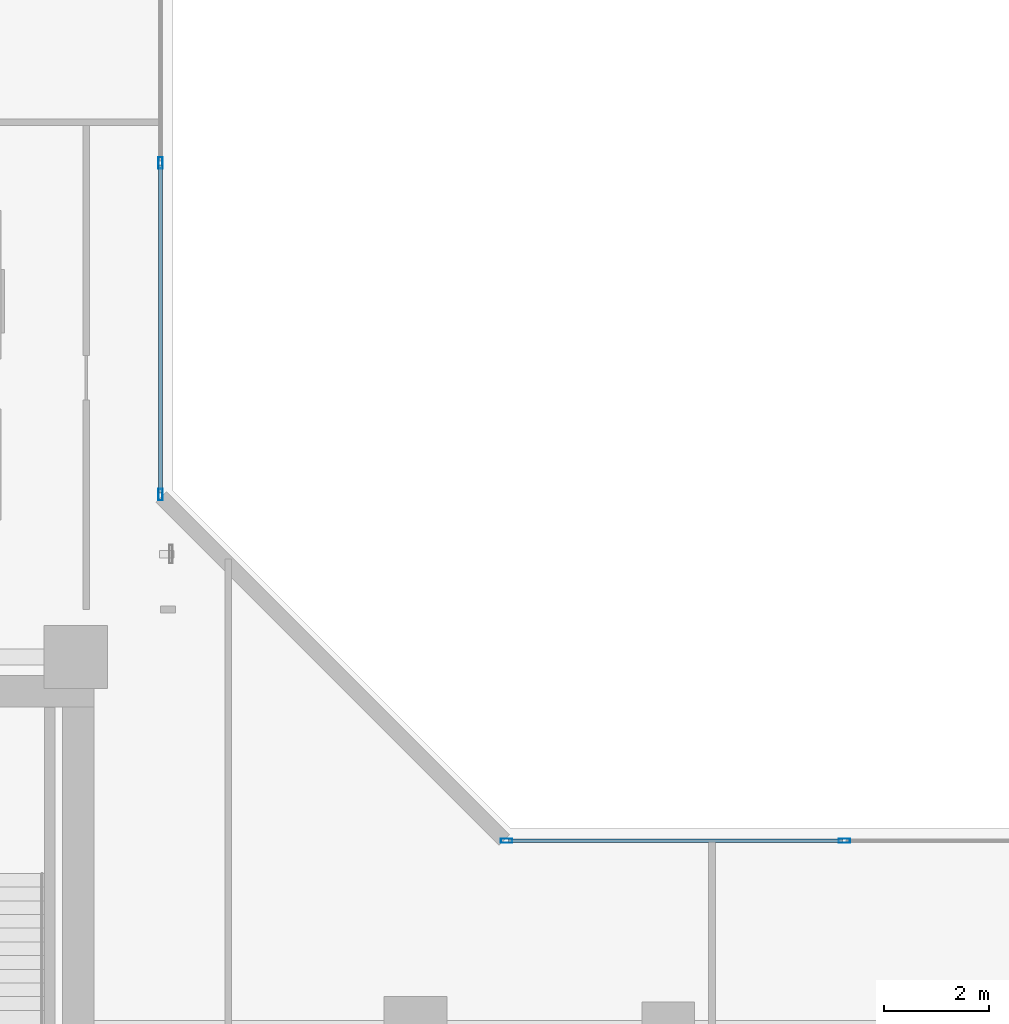
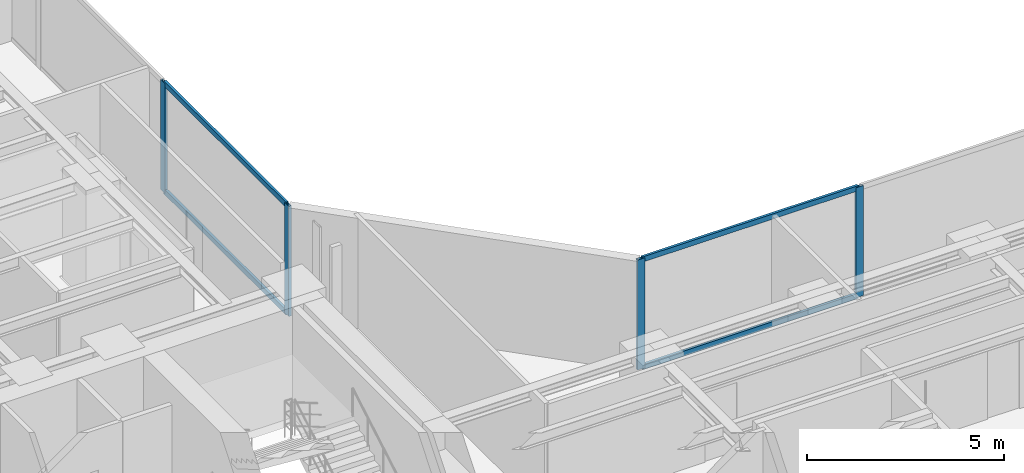
# One storey, part 9 of 26: 8 members, 2 elements without a shape of their own.
"""IFC4 building model written with IfcOpenShell, lengths in metres."""

import ifcopenshell
import ifcopenshell.guid

model = None  # the IFC model being written
_history = None  # IfcOwnerHistory: only IFC2X3 demands one
_inside = {}  # id of a spatial element -> (the spatial element, [elements in it])
_under = {}  # id of a project, library or spatial element -> (it, [spatial elements below it])
_declared = {}  # id of a project -> (the project, [libraries it declares])
_typed = {}  # id of a type object -> (the type object, [elements of that type])
_made_of = {}  # id of a material, layer set ... -> (it, [elements and type objects made of it])


def new_model(schema):
    """Start an empty IFC model of exactly this schema.

    Asked for "IFC4X3", IfcOpenShell would pick the latest addendum, in which some entities
    have other attributes; the version numbers below select the first issue.
    IFC2X3 requires an IfcOwnerHistory on every rooted entity: one is made here for all.
    """
    global model, _history
    if schema == "IFC4X3":
        model = ifcopenshell.file(schema_version=(4, 3, 0, 0))
    else:
        model = ifcopenshell.file(schema=schema)
    _inside.clear()
    _under.clear()
    _declared.clear()
    _typed.clear()
    _made_of.clear()
    _history = None
    if model.schema == "IFC2X3":
        org = make("IfcOrganization", Name="unknown")
        user = make(
            "IfcPersonAndOrganization",
            ThePerson=make("IfcPerson", FamilyName="unknown"),
            TheOrganization=org,
        )
        app = make(
            "IfcApplication",
            ApplicationDeveloper=org,
            Version="unknown",
            ApplicationFullName="unknown",
            ApplicationIdentifier="unknown",
        )
        _history = make(
            "IfcOwnerHistory",
            OwningUser=user,
            OwningApplication=app,
            ChangeAction="ADDED",
            CreationDate=0,
        )
    return model


def make(cls, **values):
    """One entity of the class cls with the attributes given. An attribute that is None is left unset."""
    return model.create_entity(
        cls, **{name: value for name, value in values.items() if value is not None}
    )


def rooted(cls, **values):
    """An entity with a GlobalId (a new one), such as an element, a storey or a relation."""
    return make(cls, GlobalId=ifcopenshell.guid.new(), OwnerHistory=_history, **values)


def si_unit(unit_type, name, prefix=None):
    """IfcSIUnit, for example si_unit("LENGTHUNIT", "METRE", prefix="MILLI")."""
    return make("IfcSIUnit", UnitType=unit_type, Prefix=prefix, Name=name)


def assignment(units):
    """IfcUnitAssignment: the units of a project."""
    return None if units is None else make("IfcUnitAssignment", Units=units)


def point(xyz):
    """IfcCartesianPoint."""
    return None if xyz is None else make("IfcCartesianPoint", Coordinates=xyz)


def direction(xyz):
    """IfcDirection."""
    return None if xyz is None else make("IfcDirection", DirectionRatios=xyz)


def frame(location, z_axis=None, x_axis=None):
    """IfcAxis2Placement3D, a coordinate frame: its origin and axes. An axis left out is left unset."""
    return make(
        "IfcAxis2Placement3D",
        Location=point(location),
        Axis=direction(z_axis),
        RefDirection=direction(x_axis),
    )


def frame_2d(location, x_axis=None):
    """IfcAxis2Placement2D, a coordinate frame in the plane: its origin and x axis."""
    return make(
        "IfcAxis2Placement2D", Location=point(location), RefDirection=direction(x_axis)
    )


def origin():
    """The frame at (0, 0, 0) with its axes left unset."""
    return frame((0.0, 0.0, 0.0))


def origin_with_axes():
    """The frame at (0, 0, 0) with the z axis (0, 0, 1) and the x axis (1, 0, 0) written out."""
    return frame((0.0, 0.0, 0.0), z_axis=(0.0, 0.0, 1.0), x_axis=(1.0, 0.0, 0.0))


def origin_2d():
    """The frame at (0, 0) in the plane with its x axis left unset."""
    return frame_2d((0.0, 0.0))


def place(relative_to, where):
    """IfcLocalPlacement: puts the frame where relative to a parent placement (None: the world)."""
    return make(
        "IfcLocalPlacement", PlacementRelTo=relative_to, RelativePlacement=where
    )


def context(
    kind, dimensions, precision=None, world=None, true_north=None, identifier=None
):
    """IfcGeometricRepresentationContext, for example the 3D "Model" context."""
    return make(
        "IfcGeometricRepresentationContext",
        ContextIdentifier=identifier,
        ContextType=kind,
        CoordinateSpaceDimension=dimensions,
        Precision=precision,
        WorldCoordinateSystem=world,
        TrueNorth=true_north,
    )


def subcontext(parent, identifier, kind, view, scale=None):
    """IfcGeometricRepresentationSubContext, for example "Body" below "Model"."""
    return make(
        "IfcGeometricRepresentationSubContext",
        ContextIdentifier=identifier,
        ContextType=kind,
        ParentContext=parent,
        TargetScale=scale,
        TargetView=view,
    )


def project(units=None, contexts=None):
    """IfcProject with its units and contexts."""
    return rooted(
        "IfcProject",
        Name="project",
        RepresentationContexts=contexts,
        UnitsInContext=assignment(units),
    )


def spatial(cls, under=None, at=None, **own):
    """A site, building, storey or space (cls), placed at a placement, below another one or the project."""
    s = rooted(cls, ObjectPlacement=at, **own)
    if under is not None:
        _under.setdefault(under.id(), (under, []))[1].append(s)
    return s


def profile(cls, at=None, kind="AREA", **sizes):
    """A parametric profile (cls). Its sizes go by their IFC names, for example OverallWidth=200.0."""
    return make(cls, ProfileType=kind, Position=at, **sizes)


def hollow_rectangle(**sizes):
    """IfcRectangleHollowProfileDef."""
    return profile("IfcRectangleHollowProfileDef", **sizes)


def extrude(swept, where, along, depth):
    """IfcExtrudedAreaSolid: the profile swept, set in the frame where, extruded along a direction by depth."""
    return make(
        "IfcExtrudedAreaSolid",
        SweptArea=swept,
        Position=where,
        ExtrudedDirection=direction(along),
        Depth=depth,
    )


def shape(context_of_items, identifier, shape_type, items):
    """IfcShapeRepresentation: the items that make up one representation, for example the "Body"."""
    return make(
        "IfcShapeRepresentation",
        ContextOfItems=context_of_items,
        RepresentationIdentifier=identifier,
        RepresentationType=shape_type,
        Items=items,
    )


def source(mapping_origin, context_of_items, identifier, shape_type, items):
    """IfcRepresentationMap: a shape defined once, which mapped items show again and again."""
    return make(
        "IfcRepresentationMap",
        MappingOrigin=mapping_origin,
        MappedRepresentation=shape(context_of_items, identifier, shape_type, items),
    )


def transform(
    local_origin,
    x_axis=None,
    y_axis=None,
    z_axis=None,
    scale=None,
    scale2=None,
    scale3=None,
    uniform=True,
):
    """IfcCartesianTransformationOperator3D, or its non-uniform kind. x_axis, y_axis, z_axis: its Axis1, 2, 3."""
    if uniform:
        return make(
            "IfcCartesianTransformationOperator3D",
            Axis1=direction(x_axis),
            Axis2=direction(y_axis),
            LocalOrigin=point(local_origin),
            Scale=scale,
            Axis3=direction(z_axis),
        )
    return make(
        "IfcCartesianTransformationOperator3DnonUniform",
        Axis1=direction(x_axis),
        Axis2=direction(y_axis),
        LocalOrigin=point(local_origin),
        Scale=scale,
        Axis3=direction(z_axis),
        Scale2=scale2,
        Scale3=scale3,
    )


def mapped(mapping_source, mapping_target):
    """IfcMappedItem: shows the shape of a source again, moved by a transform."""
    return make(
        "IfcMappedItem", MappingSource=mapping_source, MappingTarget=mapping_target
    )


def material(Name=None, Category=None):
    """IfcMaterial."""
    return make("IfcMaterial", Name=Name, Category=Category)


def layer(
    of_material, thickness, ventilated=None, Name=None, Category=None, Priority=None
):
    """IfcMaterialLayer: one layer of a wall or slab, of a material (None: an air gap)."""
    return make(
        "IfcMaterialLayer",
        Material=of_material,
        LayerThickness=thickness,
        IsVentilated=ventilated,
        Name=Name,
        Category=Category,
        Priority=Priority,
    )


def layer_set(layers, Name=None):
    """IfcMaterialLayerSet."""
    return make("IfcMaterialLayerSet", MaterialLayers=layers, LayerSetName=Name)


def material_profile(
    of_material, cross_section, Name=None, Category=None, Priority=None
):
    """IfcMaterialProfile: a cross section and its material."""
    return make(
        "IfcMaterialProfile",
        Name=Name,
        Material=of_material,
        Profile=cross_section,
        Priority=Priority,
        Category=Category,
    )


def profile_set(profiles, Name=None, composite=None):
    """IfcMaterialProfileSet."""
    return make(
        "IfcMaterialProfileSet",
        Name=Name,
        MaterialProfiles=profiles,
        CompositeProfile=composite,
    )


def made_of(thing, what):
    """Note that an element or type object is made of a material, layer set ...; save() writes the relation."""
    if what is not None:
        _made_of.setdefault(what.id(), (what, []))[1].append(thing)
    return thing


def type_object(cls, material=None, **own):
    """A type object (cls), such as IfcWallType, which elements share."""
    return made_of(rooted(cls, **own), material)


def element(
    cls,
    number,
    at=None,
    inside=None,
    cuts=None,
    type_object=None,
    material=None,
    context=None,
    identifier="Body",
    shape_type=None,
    held_by="IfcProductDefinitionShape",
    body=None,
    shapes=None,
    **own,
):
    """One element of the class cls, such as IfcWall. Its Tag is "e" and its number.

    at: its placement. inside: the storey or other place that contains it. cuts: it is an
    opening in that element (IfcRelVoidsElement). A single representation is given by context,
    identifier, shape_type and body (its items); several are given by shapes. held_by: the class
    of the entity that holds the representations. save() writes the other relations.
    """
    e = rooted(cls, Tag="e%d" % number, ObjectPlacement=at, **own)
    if body is not None:
        shapes = [shape(context, identifier, shape_type, body)]
    if shapes is not None:
        e.Representation = make(held_by, Representations=shapes)
    if inside is not None:
        _inside.setdefault(inside.id(), (inside, []))[1].append(e)
    if cuts is not None:
        rooted(
            "IfcRelVoidsElement", RelatingBuildingElement=cuts, RelatedOpeningElement=e
        )
    if type_object is not None:
        _typed.setdefault(type_object.id(), (type_object, []))[1].append(e)
    return made_of(e, material)


def aggregate(whole, parts):
    """IfcRelAggregates: a whole, such as a stair, and the parts it consists of."""
    return rooted("IfcRelAggregates", RelatingObject=whole, RelatedObjects=parts)


def save(model, path):
    """Write the relations noted so far, then the file.

    IfcRelAggregates (storeys below a building ...), IfcRelContainedInSpatialStructure (elements
    in a storey), IfcRelDefinesByType, IfcRelAssociatesMaterial and IfcRelDeclares: one each for
    every whole, place, type object, material and project.
    """
    for whole, parts in _under.values():
        aggregate(whole, parts)
    for where, things in _inside.values():
        rooted(
            "IfcRelContainedInSpatialStructure",
            RelatedElements=things,
            RelatingStructure=where,
        )
    for kind, things in _typed.values():
        rooted("IfcRelDefinesByType", RelatedObjects=things, RelatingType=kind)
    for what, things in _made_of.values():
        rooted("IfcRelAssociatesMaterial", RelatedObjects=things, RelatingMaterial=what)
    for by, libraries in _declared.values():
        rooted("IfcRelDeclares", RelatingContext=by, RelatedDefinitions=libraries)
    model.write(path)


model = new_model("IFC4")

# Units and contexts
model_context = context("Model", 3, precision=1e-05, world=origin(), true_north=direction((0.0, 1.0)))
body_context = subcontext(model_context, "Body", "Model", "MODEL_VIEW")
ifc_project = project(units=[si_unit("LENGTHUNIT", "METRE"), si_unit("AREAUNIT", "SQUARE_METRE"), si_unit("VOLUMEUNIT", "CUBIC_METRE"), si_unit("PLANEANGLEUNIT", "RADIAN"), si_unit("MASSUNIT", "GRAM", prefix="KILO")], contexts=[model_context])

# Site, building, storey
site_placement = place(None, origin())
site = spatial("IfcSite", under=ifc_project, at=site_placement, CompositionType="ELEMENT")
building_placement = place(site_placement, origin())
building = spatial("IfcBuilding", under=site, at=building_placement, Name="Kolvaren Waterfront Exchange", CompositionType="ELEMENT")
storey_placement = place(building_placement, frame((0.0, 0.0, 195.60009765625)))
storey = spatial("IfcBuildingStorey", under=building, at=storey_placement, Name="L50", CompositionType="ELEMENT", Elevation=195.60009765625)

# Curtain wall, members
ifc_material_1 = material(Name="Anodised bronze aluminium 6063-T6", Category="aluminium")
ifc_layer = layer(ifc_material_1, 0.219970703125, Name="Anodised bronze aluminium 6063-T6")
ifc_layer_set = layer_set([ifc_layer], Name="Anodised bronze aluminium 6063-T6")
curtain_wall_type = type_object("IfcCurtainWallType", Name="ARC-CW-SYS1", PredefinedType="USERDEFINED", material=ifc_layer_set)
curtain_wall_1_placement = place(storey_placement, origin())
curtain_wall_1 = element("IfcCurtainWall", 1, at=curtain_wall_1_placement, inside=storey, type_object=curtain_wall_type, Name="L50 stick curtain wall CW1 (CW-L50-NE)", ObjectType="STICK CURTAIN WALL", PredefinedType="USERDEFINED")
ifc_material_2 = material(Name="Anodised aluminium 6063-T6", Category="aluminium")
ifc_material_profile_1 = material_profile(ifc_material_2, hollow_rectangle(XDim=0.080078125, YDim=0.219970703125, WallThickness=0.0048828125, at=origin_2d()), Name="ALU-MUL-220x80x5")
ifc_profile_set_1 = profile_set([ifc_material_profile_1], Name="Anodised aluminium 6063-T6")
member_type_1 = type_object("IfcMemberType", Name="ARC-CWM-220", PredefinedType="MULLION", material=ifc_profile_set_1)
shared_shape_1 = source(origin_with_axes(), body_context, "Body", "SweptSolid", [
    extrude(hollow_rectangle(XDim=0.080078125, YDim=0.219970703125, WallThickness=0.0048828125, at=origin_2d()), origin(), (0.0, 0.0, 1.0), 3.419921875),
])
member_1_placement = place(storey_placement, frame((22.360107421875, 27.530029296875, 0.0), z_axis=(0.0, 0.0, 1.0), x_axis=(-1.0, 0.0, 0.0)))
member_1 = element("IfcMember", 2, at=member_1_placement, type_object=member_type_1, Name="CW1 mullion 1", PredefinedType="MULLION", context=body_context, shape_type="MappedRepresentation", body=[
    mapped(shared_shape_1, transform((0.0, 0.0, 0.0), x_axis=(1.0, 0.0, 0.0), y_axis=(0.0, 1.0, 0.0), z_axis=(0.0, 0.0, 1.0), scale=1.0)),
])
member_2_placement = place(storey_placement, frame((22.360107421875, 33.82666015625, 0.0), z_axis=(0.0, 0.0, 1.0), x_axis=(-1.0, 0.0, 0.0)))
member_2 = element("IfcMember", 3, at=member_2_placement, type_object=member_type_1, Name="CW1 mullion 2", PredefinedType="MULLION", context=body_context, shape_type="MappedRepresentation", body=[
    mapped(shared_shape_1, transform((0.0, 0.0, 0.0), x_axis=(1.0, 0.0, 0.0), y_axis=(0.0, 1.0, 0.0), z_axis=(0.0, 0.0, 1.0), scale=1.0)),
])

curtain_wall_2_placement = place(storey_placement, origin())
curtain_wall_2 = element("IfcCurtainWall", 4, at=curtain_wall_2_placement, inside=storey, type_object=curtain_wall_type, Name="L50 stick curtain wall CW1 (CW-L50-EN)", ObjectType="STICK CURTAIN WALL", PredefinedType="USERDEFINED")
member_3_placement = place(storey_placement, frame((28.929931640625, 20.9599609375, 0.0), z_axis=(0.0, 0.0, 1.0), x_axis=(0.0, 1.0, 0.0)))
member_3 = element("IfcMember", 5, at=member_3_placement, type_object=member_type_1, Name="CW1 mullion 1", PredefinedType="MULLION", context=body_context, shape_type="MappedRepresentation", body=[
    mapped(shared_shape_1, transform((0.0, 0.0, 0.0), x_axis=(1.0, 0.0, 0.0), y_axis=(0.0, 1.0, 0.0), z_axis=(0.0, 0.0, 1.0), scale=1.0)),
])
member_4_placement = place(storey_placement, frame((35.342529296875, 20.9599609375, 0.0), z_axis=(0.0, 0.0, 1.0), x_axis=(0.0, 1.0, 0.0)))
member_4 = element("IfcMember", 6, at=member_4_placement, type_object=member_type_1, Name="CW1 mullion 2", PredefinedType="MULLION", context=body_context, shape_type="MappedRepresentation", body=[
    mapped(shared_shape_1, transform((0.0, 0.0, 0.0), x_axis=(1.0, 0.0, 0.0), y_axis=(0.0, 1.0, 0.0), z_axis=(0.0, 0.0, 1.0), scale=1.0)),
])

# Member
ifc_material_profile_2 = material_profile(ifc_material_2, hollow_rectangle(XDim=0.074951171875, YDim=0.159912109375, WallThickness=0.00439453125, at=origin_2d()), Name="ALU-TRN-160x75x4.5")
ifc_profile_set_2 = profile_set([ifc_material_profile_2], Name="Anodised aluminium 6063-T6")
member_type_2 = type_object("IfcMemberType", Name="ARC-CWT-160", PredefinedType="USERDEFINED", material=ifc_profile_set_2)
shared_shape_2 = source(origin_with_axes(), body_context, "Body", "SweptSolid", [
    extrude(hollow_rectangle(XDim=0.074951171875, YDim=0.159912109375, WallThickness=0.00439453125, at=origin_2d()), origin(), (0.0, 0.0, 1.0), 6.216552734375),
])
member_5_placement = place(storey_placement, frame((22.360107421875, 27.570068359375, 0.037353515625), z_axis=(0.0, 1.0, 0.0), x_axis=(-1.0, 0.0, 0.0)))
member_5 = element("IfcMember", 7, at=member_5_placement, type_object=member_type_2, Name="CW1 transom 1.1", ObjectType="TRANSOM", PredefinedType="USERDEFINED", context=body_context, shape_type="MappedRepresentation", body=[
    mapped(shared_shape_2, transform((0.0, 0.0, 0.0), x_axis=(1.0, 0.0, 0.0), y_axis=(0.0, 1.0, 0.0), z_axis=(0.0, 0.0, 1.0), scale=1.0)),
])

member_6_placement = place(storey_placement, frame((22.360107421875, 27.570068359375, 3.38232421875), z_axis=(0.0, 1.0, 0.0), x_axis=(-1.0, 0.0, 0.0)))
member_6 = element("IfcMember", 8, at=member_6_placement, type_object=member_type_2, Name="CW1 transom 1.2", ObjectType="TRANSOM", PredefinedType="USERDEFINED", context=body_context, shape_type="MappedRepresentation", body=[
    mapped(shared_shape_2, transform((0.0, 0.0, 0.0), x_axis=(1.0, 0.0, 0.0), y_axis=(0.0, 1.0, 0.0), z_axis=(0.0, 0.0, 1.0), scale=1.0)),
])

aggregate(curtain_wall_1, [member_1, member_2, member_5, member_6])

shared_shape_3 = source(origin_with_axes(), body_context, "Body", "SweptSolid", [
    extrude(hollow_rectangle(XDim=0.074951171875, YDim=0.159912109375, WallThickness=0.00439453125, at=origin_2d()), origin(), (0.0, 0.0, 1.0), 6.33251953125),
])
member_7_placement = place(storey_placement, frame((28.969970703125, 20.9599609375, 0.037353515625), z_axis=(1.0, 0.0, 0.0), x_axis=(0.0, 1.0, 0.0)))
member_7 = element("IfcMember", 9, at=member_7_placement, type_object=member_type_2, Name="CW1 transom 1.1", ObjectType="TRANSOM", PredefinedType="USERDEFINED", context=body_context, shape_type="MappedRepresentation", body=[
    mapped(shared_shape_3, transform((0.0, 0.0, 0.0), x_axis=(1.0, 0.0, 0.0), y_axis=(0.0, 1.0, 0.0), z_axis=(0.0, 0.0, 1.0), scale=1.0)),
])

member_8_placement = place(storey_placement, frame((28.969970703125, 20.9599609375, 3.38232421875), z_axis=(1.0, 0.0, 0.0), x_axis=(0.0, 1.0, 0.0)))
member_8 = element("IfcMember", 10, at=member_8_placement, type_object=member_type_2, Name="CW1 transom 1.2", ObjectType="TRANSOM", PredefinedType="USERDEFINED", context=body_context, shape_type="MappedRepresentation", body=[
    mapped(shared_shape_3, transform((0.0, 0.0, 0.0), x_axis=(1.0, 0.0, 0.0), y_axis=(0.0, 1.0, 0.0), z_axis=(0.0, 0.0, 1.0), scale=1.0)),
])

aggregate(curtain_wall_2, [member_3, member_4, member_7, member_8])

save(model, "model.ifc")
